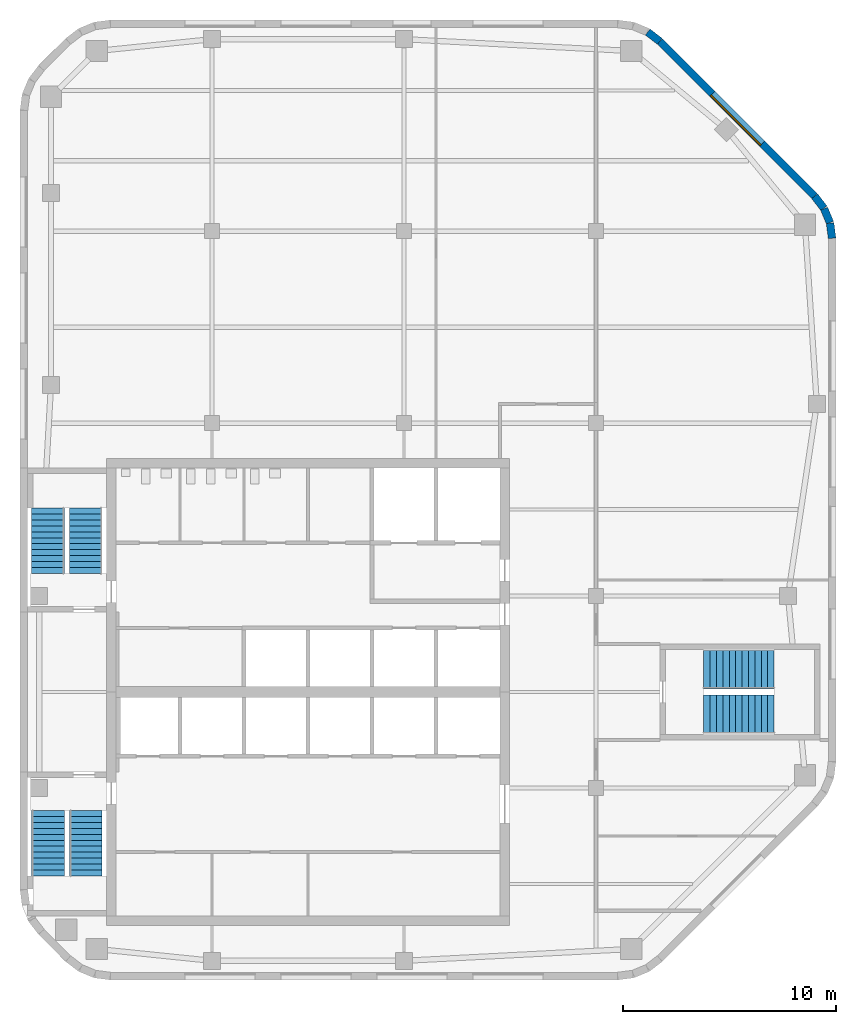
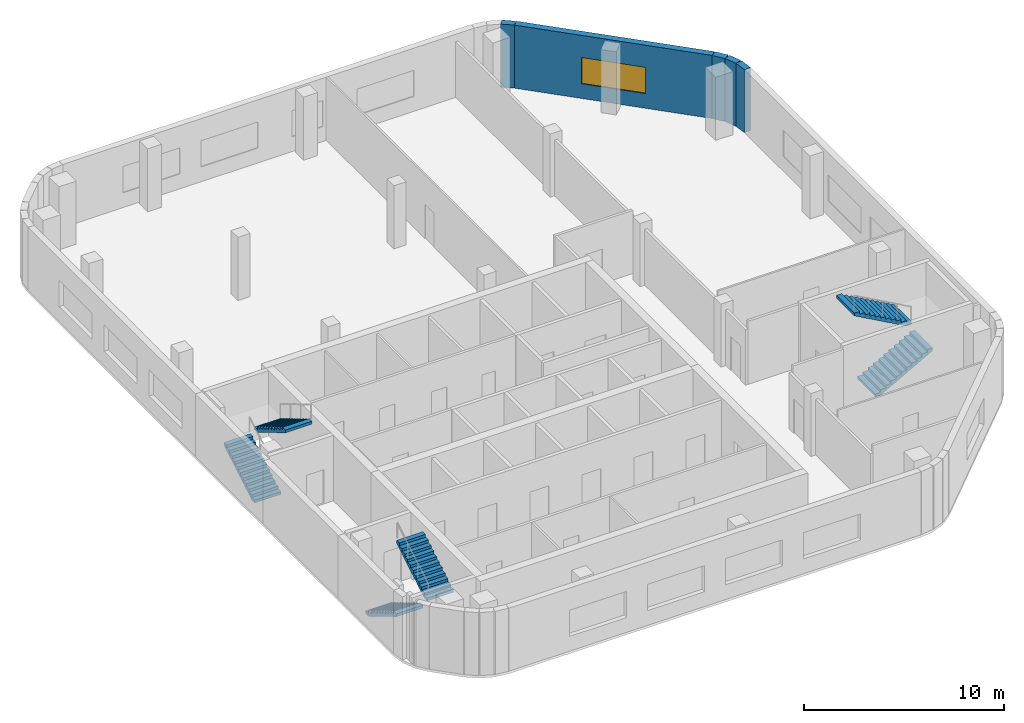
# One storey, part 5 of 7: 6 stair flights, 5 walls, 1 window, 1 opening, 3 elements without a shape of their own.
"""IFC4 building model written with IfcOpenShell, lengths in metres."""

from ifc_helpers import new_model, si_unit, direction, frame, frame_2d, origin, place, context, subcontext, project, spatial, polyline, rectangle, outline, extrude, material, layer, layer_set, type_object, element, fill, aggregate, save


model = new_model("IFC4")

# Units and contexts
model_context = context("Model", 3, precision=1e-05, world=origin(), true_north=direction((0.0, 1.0)))
body_context = subcontext(model_context, "Body", "Model", "MODEL_VIEW")
ifc_project = project(units=[si_unit("LENGTHUNIT", "METRE"), si_unit("AREAUNIT", "SQUARE_METRE"), si_unit("VOLUMEUNIT", "CUBIC_METRE"), si_unit("PLANEANGLEUNIT", "RADIAN"), si_unit("MASSUNIT", "GRAM", prefix="KILO")], contexts=[model_context])

# Site, building, storey
site_placement = place(None, origin())
site = spatial("IfcSite", under=ifc_project, at=site_placement, CompositionType="ELEMENT")
building_placement = place(site_placement, origin())
building = spatial("IfcBuilding", under=site, at=building_placement, Name="Cinnabar Reach Civic Tower", CompositionType="ELEMENT")
storey_placement = place(building_placement, frame((0.0, 0.0, 259.0)))
storey = spatial("IfcBuildingStorey", under=building, at=storey_placement, Name="L62", CompositionType="ELEMENT", Elevation=259.0)

# Walls
ifc_material_1 = material(Name="Facing brick with insulated backing", Category="masonry")
ifc_layer_1 = layer(ifc_material_1, 0.36)
ifc_layer_set_1 = layer_set([ifc_layer_1], Name="Brick corner wall")
wall_type_1 = type_object("IfcWallType", Name="Brick corner wall", PredefinedType="STANDARD", material=ifc_layer_set_1)
for number, where, z_axis, x_axis, name in (
    (1, (38.067, 52.7686, 0.0), (0.0, 0.0, 1.0), (-0.13055608231, 0.99144092581, 0.0), "Brick corner wall"),
    (2, (37.9681, 53.4973, 0.0), (0.0, 0.0, 1.0), (-0.382702709855, 0.923871547278, 0.0), "Brick corner wall"),
):
    element("IfcWall", number, at=place(storey_placement, frame(where, z_axis=z_axis, x_axis=x_axis)), inside=storey, type_object=wall_type_1, Name=name, PredefinedType="STANDARD", context=body_context, shape_type="SweptSolid", body=[
        extrude(rectangle(XDim=0.7131, YDim=0.36, at=frame_2d((0.3565, 0.0))), origin(), (0.0, 0.0, 1.0), 3.85),
    ])
for number, where, z_axis, x_axis, name in (
    (3, (37.684, 54.1755, 0.0), (0.0, 0.0, 1.0), (-0.608802368033, 0.793321924995, 0.0), "Brick corner wall"),
    (4, (29.9913, 61.9998, 0.0), (0.0, 0.0, 1.0), (-0.793321924995, 0.608802368033, 0.0), "Brick corner wall"),
):
    element("IfcWall", number, at=place(storey_placement, frame(where, z_axis=z_axis, x_axis=x_axis)), inside=storey, type_object=wall_type_1, Name=name, PredefinedType="STANDARD", context=body_context, shape_type="SweptSolid", body=[
        extrude(rectangle(XDim=0.7132, YDim=0.36, at=frame_2d((0.3566, 0.0))), origin(), (0.0, 0.0, 1.0), 3.85),
    ])

# Wall, opening, window
ifc_layer_2 = layer(ifc_material_1, 0.36)
ifc_layer_set_2 = layer_set([ifc_layer_2], Name="Brick pier and spandrel wall")
wall_type_2 = type_object("IfcWallType", Name="Brick pier and spandrel wall", PredefinedType="STANDARD", material=ifc_layer_set_2)
wall_placement = place(storey_placement, frame((37.244, 54.7514, 0.0), z_axis=(0.0, 0.0, 1.0), x_axis=(-0.707106781187, 0.707106781187, 0.0)))
wall = element("IfcWall", 5, at=wall_placement, inside=storey, type_object=wall_type_2, Name="Brick facade wall", PredefinedType="STANDARD", context=body_context, shape_type="SweptSolid", body=[
    extrude(rectangle(XDim=10.2426, YDim=0.36, at=frame_2d((5.1213, 0.0))), origin(), (0.0, 0.0, 1.0), 3.85),
])
opening_placement = place(wall_placement, frame((3.4713, 0.0, 0.9)))
opening = element("IfcOpeningElement", 6, at=opening_placement, cuts=wall, Name="Opening W2237", PredefinedType="OPENING", context=body_context, shape_type="SweptSolid", body=[
    extrude(rectangle(XDim=3.3, YDim=1.6, at=frame_2d((1.65, 0.8))), frame((0.0, 0.19, 0.0), z_axis=(0.0, -1.0, 0.0), x_axis=(1.0, 0.0, 0.0)), (0.0, 0.0, 1.0), 0.38),
])
ifc_material_2 = material(Name="Clear double glazing in aluminium frame", Category="aluminium")
window_type = type_object("IfcWindowType", Name="Deep-set window A", PartitioningType="SINGLE_PANEL", PredefinedType="WINDOW", material=ifc_material_2)
window_placement = place(opening_placement, origin())
window = element("IfcWindow", 7, at=window_placement, inside=storey, type_object=window_type, Name="Window northeast face", OverallHeight=1.6, OverallWidth=3.3, PartitioningType="SINGLE_PANEL", PredefinedType="WINDOW", context=body_context, shape_type="SweptSolid", body=[
    extrude(rectangle(XDim=3.3, YDim=1.6, at=frame_2d((1.65, 0.8))), frame((0.0, 0.13, 0.0), z_axis=(0.0, -1.0, 0.0), x_axis=(1.0, 0.0, 0.0)), (0.0, 0.0, 1.0), 0.06),
])
fill(opening, window)

# Stair, stair flights
ifc_material_3 = material(Name="Concrete C40/50", Category="concrete")
stair_type = type_object("IfcStairType", Name="T1 Exit stair, half-turn", PredefinedType="HALF_TURN_STAIR", material=ifc_material_3)
stair_1_placement = place(storey_placement, origin())
stair_1 = element("IfcStair", 8, at=stair_1_placement, inside=storey, type_object=stair_type, Name="Stair T1-S1", PredefinedType="HALF_TURN_STAIR")
stair_flight_type = type_object("IfcStairFlightType", Name="T1 Stair flight, concrete", PredefinedType="STRAIGHT", material=ifc_material_3)
stair_flight_1_placement = place(storey_placement, frame((1.3125, 25.95, 0.0), z_axis=(0.0, 0.0, 1.0), x_axis=(0.0, -1.0, 0.0)))
stair_flight_1 = element("IfcStairFlight", 9, at=stair_flight_1_placement, type_object=stair_flight_type, Name="T1-S1 flight 1", NumberOfRisers=12, NumberOfTreads=11, PredefinedType="STRAIGHT", RiserHeight=0.166666667, TreadLength=0.28, context=body_context, shape_type="SweptSolid", body=[
    extrude(outline(polyline([(0.0, 0.0), (0.0, 0.1667), (0.28, 0.1667), (0.28, 0.3333), (0.56, 0.3333), (0.56, 0.5), (0.84, 0.5), (0.84, 0.6667), (1.12, 0.6667), (1.12, 0.8333), (1.4, 0.8333), (1.4, 1.0), (1.68, 1.0), (1.68, 1.1667), (1.96, 1.1667), (1.96, 1.3333), (2.24, 1.3333), (2.24, 1.5), (2.52, 1.5), (2.52, 1.6667), (2.8, 1.6667), (2.8, 1.8333), (3.08, 1.8333), (3.08, 2.0), (3.08, 1.6588), (0.2933, 0.0), (0.0, 0.0)])), frame((0.0, 0.7625, 0.0), z_axis=(0.0, -1.0, 0.0), x_axis=(1.0, 0.0, 0.0)), (0.0, 0.0, 1.0), 1.525),
])
stair_flight_2_placement = place(storey_placement, frame((3.0875, 22.87, 2.0), z_axis=(0.0, 0.0, 1.0), x_axis=(0.0, 1.0, 0.0)))
stair_flight_2 = element("IfcStairFlight", 10, at=stair_flight_2_placement, type_object=stair_flight_type, Name="T1-S1 flight 2", NumberOfRisers=12, NumberOfTreads=11, PredefinedType="STRAIGHT", RiserHeight=0.166666667, TreadLength=0.28, context=body_context, shape_type="SweptSolid", body=[
    extrude(outline(polyline([(0.0, 0.0), (0.0, 0.1667), (0.28, 0.1667), (0.28, 0.3333), (0.56, 0.3333), (0.56, 0.5), (0.84, 0.5), (0.84, 0.6667), (1.12, 0.6667), (1.12, 0.8333), (1.4, 0.8333), (1.4, 1.0), (1.68, 1.0), (1.68, 1.1667), (1.96, 1.1667), (1.96, 1.3333), (2.24, 1.3333), (2.24, 1.5), (2.52, 1.5), (2.52, 1.6667), (2.8, 1.6667), (2.8, 1.8333), (3.08, 1.8333), (3.08, 2.0), (3.08, 1.6588), (0.2933, 0.0), (0.0, 0.0)])), frame((0.0, 0.7625, 0.0), z_axis=(0.0, -1.0, 0.0), x_axis=(1.0, 0.0, 0.0)), (0.0, 0.0, 1.0), 1.525),
])
aggregate(stair_1, [stair_flight_1, stair_flight_2])

stair_2_placement = place(storey_placement, origin())
stair_2 = element("IfcStair", 11, at=stair_2_placement, inside=storey, type_object=stair_type, Name="Stair T1-S2", PredefinedType="HALF_TURN_STAIR")
stair_flight_3_placement = place(storey_placement, frame((1.3125, 37.05, 0.0), z_axis=(0.0, 0.0, 1.0), x_axis=(0.0, 1.0, 0.0)))
stair_flight_3 = element("IfcStairFlight", 12, at=stair_flight_3_placement, type_object=stair_flight_type, Name="T1-S2 flight 1", NumberOfRisers=12, NumberOfTreads=11, PredefinedType="STRAIGHT", RiserHeight=0.166666667, TreadLength=0.28, context=body_context, shape_type="SweptSolid", body=[
    extrude(outline(polyline([(0.0, 0.0), (0.0, 0.1667), (0.28, 0.1667), (0.28, 0.3333), (0.56, 0.3333), (0.56, 0.5), (0.84, 0.5), (0.84, 0.6667), (1.12, 0.6667), (1.12, 0.8333), (1.4, 0.8333), (1.4, 1.0), (1.68, 1.0), (1.68, 1.1667), (1.96, 1.1667), (1.96, 1.3333), (2.24, 1.3333), (2.24, 1.5), (2.52, 1.5), (2.52, 1.6667), (2.8, 1.6667), (2.8, 1.8333), (3.08, 1.8333), (3.08, 2.0), (3.08, 1.6588), (0.2933, 0.0), (0.0, 0.0)])), frame((0.0, 0.7625, 0.0), z_axis=(0.0, -1.0, 0.0), x_axis=(1.0, 0.0, 0.0)), (0.0, 0.0, 1.0), 1.525),
])
stair_flight_4_placement = place(storey_placement, frame((3.0875, 40.13, 2.0), z_axis=(0.0, 0.0, 1.0), x_axis=(0.0, -1.0, 0.0)))
stair_flight_4 = element("IfcStairFlight", 13, at=stair_flight_4_placement, type_object=stair_flight_type, Name="T1-S2 flight 2", NumberOfRisers=12, NumberOfTreads=11, PredefinedType="STRAIGHT", RiserHeight=0.166666667, TreadLength=0.28, context=body_context, shape_type="SweptSolid", body=[
    extrude(outline(polyline([(0.0, 0.0), (0.0, 0.1667), (0.28, 0.1667), (0.28, 0.3333), (0.56, 0.3333), (0.56, 0.5), (0.84, 0.5), (0.84, 0.6667), (1.12, 0.6667), (1.12, 0.8333), (1.4, 0.8333), (1.4, 1.0), (1.68, 1.0), (1.68, 1.1667), (1.96, 1.1667), (1.96, 1.3333), (2.24, 1.3333), (2.24, 1.5), (2.52, 1.5), (2.52, 1.6667), (2.8, 1.6667), (2.8, 1.8333), (3.08, 1.8333), (3.08, 2.0), (3.08, 1.6588), (0.2933, 0.0), (0.0, 0.0)])), frame((0.0, 0.7625, 0.0), z_axis=(0.0, -1.0, 0.0), x_axis=(1.0, 0.0, 0.0)), (0.0, 0.0, 1.0), 1.525),
])
aggregate(stair_2, [stair_flight_3, stair_flight_4])

stair_3_placement = place(storey_placement, origin())
stair_3 = element("IfcStair", 14, at=stair_3_placement, inside=storey, type_object=stair_type, Name="Stair T1-S3", PredefinedType="HALF_TURN_STAIR")
stair_flight_5_placement = place(storey_placement, frame((32.05, 30.45, 0.0), z_axis=(0.0, 0.0, 1.0), x_axis=(1.0, 0.0, 0.0)))
stair_flight_5 = element("IfcStairFlight", 15, at=stair_flight_5_placement, type_object=stair_flight_type, Name="T1-S3 flight 1", NumberOfRisers=12, NumberOfTreads=11, PredefinedType="STRAIGHT", RiserHeight=0.166666667, TreadLength=0.3, context=body_context, shape_type="SweptSolid", body=[
    extrude(outline(polyline([(0.0, 0.0), (0.0, 0.1667), (0.3, 0.1667), (0.3, 0.3333), (0.6, 0.3333), (0.6, 0.5), (0.9, 0.5), (0.9, 0.6667), (1.2, 0.6667), (1.2, 0.8333), (1.5, 0.8333), (1.5, 1.0), (1.8, 1.0), (1.8, 1.1667), (2.1, 1.1667), (2.1, 1.3333), (2.4, 1.3333), (2.4, 1.5), (2.7, 1.5), (2.7, 1.6667), (3.0, 1.6667), (3.0, 1.8333), (3.3, 1.8333), (3.3, 2.0), (3.3, 1.6617), (0.3089, 0.0), (0.0, 0.0)])), frame((0.0, 0.9, 0.0), z_axis=(0.0, -1.0, 0.0), x_axis=(1.0, 0.0, 0.0)), (0.0, 0.0, 1.0), 1.8),
])
stair_flight_6_placement = place(storey_placement, frame((35.35, 32.55, 2.0), z_axis=(0.0, 0.0, 1.0), x_axis=(-1.0, 0.0, 0.0)))
stair_flight_6 = element("IfcStairFlight", 16, at=stair_flight_6_placement, type_object=stair_flight_type, Name="T1-S3 flight 2", NumberOfRisers=12, NumberOfTreads=11, PredefinedType="STRAIGHT", RiserHeight=0.166666667, TreadLength=0.3, context=body_context, shape_type="SweptSolid", body=[
    extrude(outline(polyline([(0.0, 0.0), (0.0, 0.1667), (0.3, 0.1667), (0.3, 0.3333), (0.6, 0.3333), (0.6, 0.5), (0.9, 0.5), (0.9, 0.6667), (1.2, 0.6667), (1.2, 0.8333), (1.5, 0.8333), (1.5, 1.0), (1.8, 1.0), (1.8, 1.1667), (2.1, 1.1667), (2.1, 1.3333), (2.4, 1.3333), (2.4, 1.5), (2.7, 1.5), (2.7, 1.6667), (3.0, 1.6667), (3.0, 1.8333), (3.3, 1.8333), (3.3, 2.0), (3.3, 1.6617), (0.3089, 0.0), (0.0, 0.0)])), frame((0.0, 0.9, 0.0), z_axis=(0.0, -1.0, 0.0), x_axis=(1.0, 0.0, 0.0)), (0.0, 0.0, 1.0), 1.8),
])
aggregate(stair_3, [stair_flight_5, stair_flight_6])

save(model, "model.ifc")
